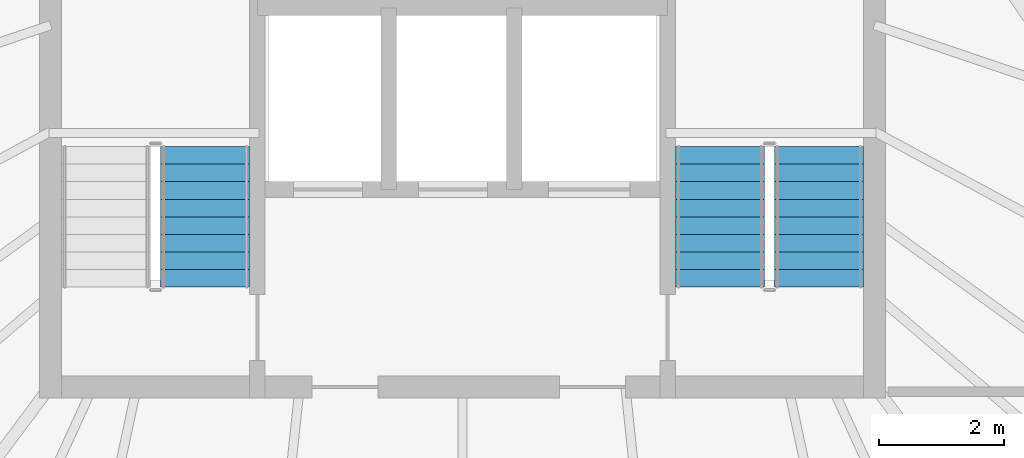
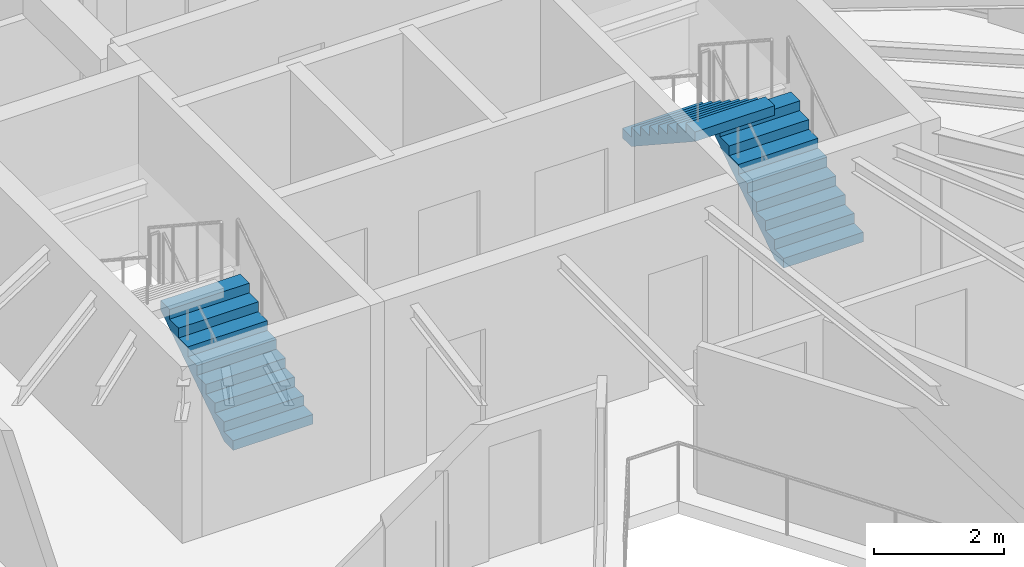
# One storey, part 27 of 29: 3 stair flights, 2 elements without a shape of their own.
"""IFC4 building model written with IfcOpenShell, lengths in metres."""

from ifc_helpers import new_model, si_unit, direction, frame, origin, place, context, subcontext, project, spatial, polyline, outline, extrude, material, type_object, element, aggregate, save


model = new_model("IFC4")

# Units and contexts
model_context = context("Model", 3, precision=1e-05, world=origin(), true_north=direction((0.0, 1.0)))
body_context = subcontext(model_context, "Body", "Model", "MODEL_VIEW")
ifc_project = project(units=[si_unit("LENGTHUNIT", "METRE"), si_unit("AREAUNIT", "SQUARE_METRE"), si_unit("VOLUMEUNIT", "CUBIC_METRE"), si_unit("PLANEANGLEUNIT", "RADIAN"), si_unit("MASSUNIT", "GRAM", prefix="KILO")], contexts=[model_context])

# Site, building, storey
site_placement = place(None, origin())
site = spatial("IfcSite", under=ifc_project, at=site_placement, CompositionType="ELEMENT")
building_placement = place(site_placement, origin())
building = spatial("IfcBuilding", under=site, at=building_placement, Name="Orvanel Arch Residences", CompositionType="ELEMENT")
storey_placement = place(building_placement, frame((0.0, 0.0, 250.25)))
storey = spatial("IfcBuildingStorey", under=building, at=storey_placement, Name="L71", CompositionType="ELEMENT", Elevation=250.25)

# Stair, stair flight
ifc_material = material(Name="Precast concrete N50 (50 MPa)", Category="concrete")
stair_type = type_object("IfcStairType", Name="STR-DOG-184", PredefinedType="USERDEFINED", material=ifc_material)
stair_1_placement = place(storey_placement, origin())
stair_1 = element("IfcStair", 1, at=stair_1_placement, inside=storey, type_object=stair_type, Name="L71 Fire-Isolated Core Exit Stair 1", ObjectType="TWO_RETURN_STAIR", PredefinedType="USERDEFINED")
stair_flight_type_1 = type_object("IfcStairFlightType", Name="SFL-C1-184", PredefinedType="STRAIGHT", material=ifc_material)
stair_flight_1_placement = place(storey_placement, frame((28.889892578125, 28.320068359375, 0.0), z_axis=(0.0, 0.0, 1.0), x_axis=(0.0, 1.0, 0.0)))
stair_flight_1 = element("IfcStairFlight", 2, at=stair_flight_1_placement, type_object=stair_flight_type_1, Name="ST-1 flight 1", NumberOfRisers=9, NumberOfTreads=8, PredefinedType="STRAIGHT", RiserHeight=0.183333333, TreadLength=0.28, context=body_context, shape_type="SweptSolid", body=[
    extrude(outline(polyline([(0.0, 0.0), (0.0, 0.183349609375), (0.280029296875, 0.183349609375), (0.280029296875, 0.36669921875), (0.56005859375, 0.36669921875), (0.56005859375, 0.550048828125), (0.840087890625, 0.550048828125), (0.840087890625, 0.7333984375), (1.1201171875, 0.7333984375), (1.1201171875, 0.916748046875), (1.39990234375, 0.916748046875), (1.39990234375, 1.10009765625), (1.679931640625, 1.10009765625), (1.679931640625, 1.283447265625), (1.9599609375, 1.283447265625), (1.9599609375, 1.466552734375), (2.239990234375, 1.466552734375), (2.239990234375, 1.64990234375), (2.239990234375, 1.28759765625), (0.273681640625, 0.0), (0.0, 0.0)])), frame((0.0, 0.7099609375, 0.0), z_axis=(0.0, -1.0, 0.0), x_axis=(1.0, 0.0, 0.0)), (0.0, 0.0, 1.0), 1.419921875),
])
aggregate(stair_1, [stair_flight_1])

# Stair, stair flights
stair_2_placement = place(storey_placement, origin())
stair_2 = element("IfcStair", 3, at=stair_2_placement, inside=storey, type_object=stair_type, Name="L71 Fire-Isolated Core Exit Stair 2", ObjectType="TWO_RETURN_STAIR", PredefinedType="USERDEFINED")
stair_flight_type_2 = type_object("IfcStairFlightType", Name="SFL-C2-184", PredefinedType="STRAIGHT", material=ifc_material)
stair_flight_2_placement = place(storey_placement, frame((38.68994140625, 28.320068359375, 0.0), z_axis=(0.0, 0.0, 1.0), x_axis=(0.0, 1.0, 0.0)))
stair_flight_2 = element("IfcStairFlight", 4, at=stair_flight_2_placement, type_object=stair_flight_type_2, Name="ST-2 flight 1", NumberOfRisers=9, NumberOfTreads=8, PredefinedType="STRAIGHT", RiserHeight=0.183333333, TreadLength=0.28, context=body_context, shape_type="SweptSolid", body=[
    extrude(outline(polyline([(0.0, 0.0), (0.0, 0.183349609375), (0.280029296875, 0.183349609375), (0.280029296875, 0.36669921875), (0.56005859375, 0.36669921875), (0.56005859375, 0.550048828125), (0.840087890625, 0.550048828125), (0.840087890625, 0.7333984375), (1.1201171875, 0.7333984375), (1.1201171875, 0.916748046875), (1.39990234375, 0.916748046875), (1.39990234375, 1.10009765625), (1.679931640625, 1.10009765625), (1.679931640625, 1.283447265625), (1.9599609375, 1.283447265625), (1.9599609375, 1.466552734375), (2.239990234375, 1.466552734375), (2.239990234375, 1.64990234375), (2.239990234375, 1.28759765625), (0.273681640625, 0.0), (0.0, 0.0)])), frame((0.0, 0.7099609375, 0.0), z_axis=(0.0, -1.0, 0.0), x_axis=(1.0, 0.0, 0.0)), (0.0, 0.0, 1.0), 1.419921875),
])
stair_flight_3_placement = place(storey_placement, frame((37.110107421875, 30.56005859375, 1.64990234375), z_axis=(0.0, 0.0, 1.0), x_axis=(0.0, -1.0, 0.0)))
stair_flight_3 = element("IfcStairFlight", 5, at=stair_flight_3_placement, type_object=stair_flight_type_2, Name="ST-2 flight 2", NumberOfRisers=9, NumberOfTreads=8, PredefinedType="STRAIGHT", RiserHeight=0.183333333, TreadLength=0.28, context=body_context, shape_type="SweptSolid", body=[
    extrude(outline(polyline([(0.0, 0.0), (0.0, 0.183349609375), (0.280029296875, 0.183349609375), (0.280029296875, 0.36669921875), (0.56005859375, 0.36669921875), (0.56005859375, 0.550048828125), (0.840087890625, 0.550048828125), (0.840087890625, 0.7333984375), (1.1201171875, 0.7333984375), (1.1201171875, 0.916748046875), (1.39990234375, 0.916748046875), (1.39990234375, 1.10009765625), (1.679931640625, 1.10009765625), (1.679931640625, 1.283447265625), (1.9599609375, 1.283447265625), (1.9599609375, 1.466552734375), (2.239990234375, 1.466552734375), (2.239990234375, 1.64990234375), (2.239990234375, 1.28759765625), (0.273681640625, 0.0), (0.0, 0.0)])), frame((0.0, 0.7099609375, 0.0), z_axis=(0.0, -1.0, 0.0), x_axis=(1.0, 0.0, 0.0)), (0.0, 0.0, 1.0), 1.419921875),
])
aggregate(stair_2, [stair_flight_2, stair_flight_3])

save(model, "model.ifc")
